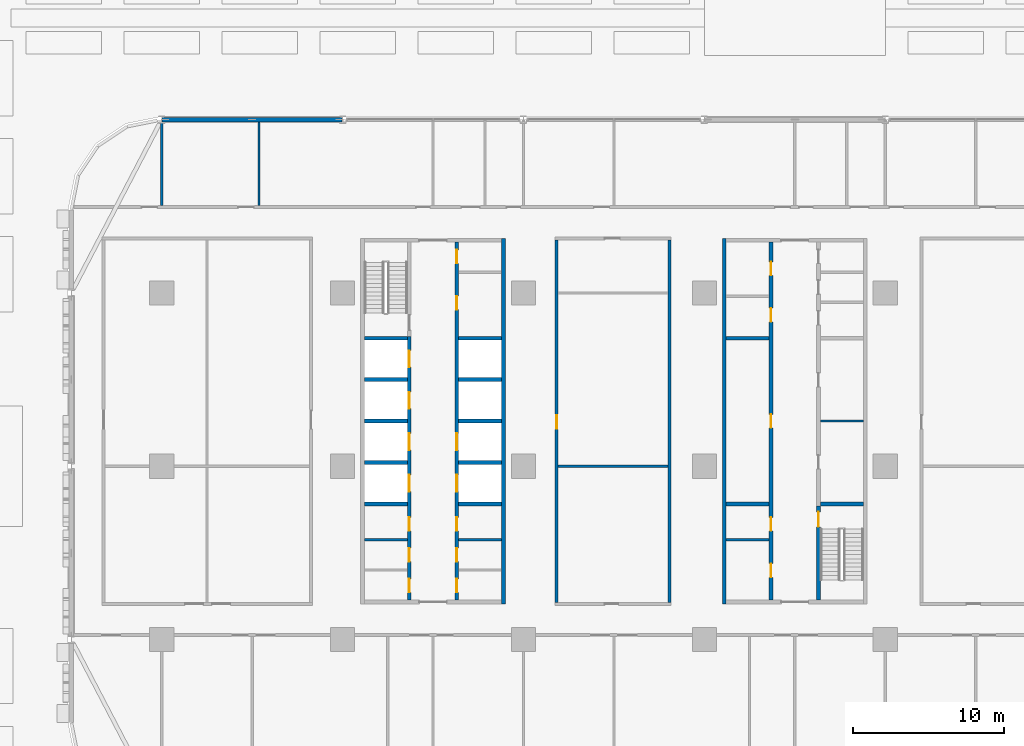
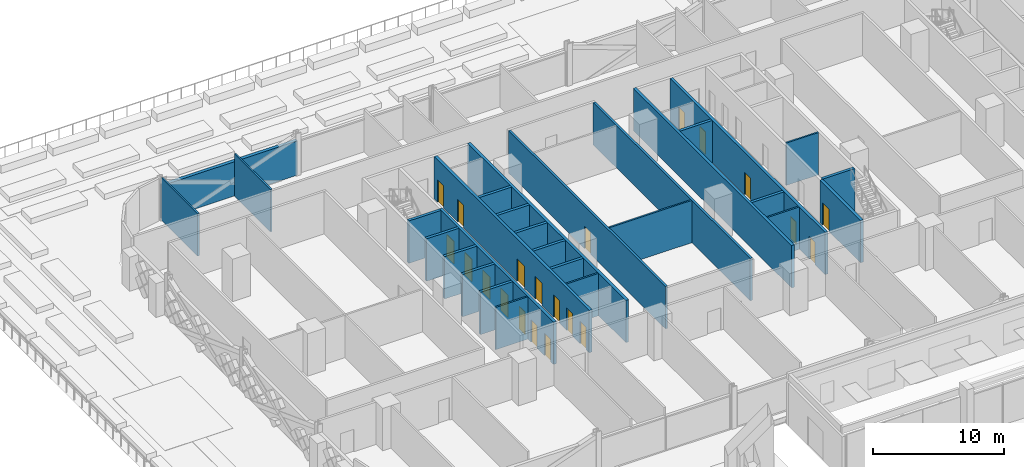
# One storey, part 13 of 39: 29 walls, 21 doors, 21 openings.
"""IFC4 building model written with IfcOpenShell, lengths in metres."""

from ifc_helpers import new_model, si_unit, direction, frame, frame_2d, origin, place, context, subcontext, project, spatial, rectangle, extrude, material, layer, layer_set, type_object, element, fill, save


model = new_model("IFC4")

# Units and contexts
model_context = context("Model", 3, precision=1e-05, world=origin(), true_north=direction((0.0, 1.0)))
body_context = subcontext(model_context, "Body", "Model", "MODEL_VIEW")
ifc_project = project(units=[si_unit("LENGTHUNIT", "METRE"), si_unit("AREAUNIT", "SQUARE_METRE"), si_unit("VOLUMEUNIT", "CUBIC_METRE"), si_unit("PLANEANGLEUNIT", "RADIAN"), si_unit("MASSUNIT", "GRAM", prefix="KILO")], contexts=[model_context])

# Site, building, storey
site_placement = place(None, origin())
site = spatial("IfcSite", under=ifc_project, at=site_placement, CompositionType="ELEMENT")
building_placement = place(site_placement, origin())
building = spatial("IfcBuilding", under=site, at=building_placement, Name="Mahtab Terrace Research Tower", CompositionType="ELEMENT")
storey_placement = place(building_placement, frame((0.0, 0.0, 7.199951171875)))
storey = spatial("IfcBuildingStorey", under=building, at=storey_placement, Name="L01", CompositionType="ELEMENT", Elevation=7.199951171875)

# Walls
ifc_material_1 = material(Name="Gypsum board partition")
ifc_layer_1 = layer(ifc_material_1, 0.14990234375)
ifc_layer_set_1 = layer_set([ifc_layer_1], Name="Core partition 150")
wall_type_1 = type_object("IfcWallType", Name="Core partition 150", PredefinedType="PARTITIONING", material=ifc_layer_set_1)
for number, where, z_axis, x_axis, name in (
    (1, (-28.550048828125, -4.875, 0.0), (0.0, 0.0, 1.0), (1.0, 0.0, 0.0), "Core wall A pWS-788"),
    (2, (-22.300048828125, -4.875, 0.0), (0.0, 0.0, 1.0), (1.0, 0.0, 0.0), "Core wall A pES-788"),
    (3, (1.699951171875, 3.0, 0.0), (0.0, 0.0, 1.0), (1.0, 0.0, 0.0), "Core wall B pEL0"),
    (4, (-4.550048828125, -4.875, 0.0), (0.0, 0.0, 1.0), (1.0, 0.0, 0.0), "Core wall B pWS-788"),
):
    element("IfcWall", number, at=place(storey_placement, frame(where, z_axis=z_axis, x_axis=x_axis)), inside=storey, type_object=wall_type_1, Name=name, PredefinedType="PARTITIONING", context=body_context, shape_type="SweptSolid", body=[
        extrude(rectangle(XDim=2.85009765625, YDim=0.14990234375, at=frame_2d((1.425048828125, 0.0))), origin(), (0.0, 0.0, 1.0), 3.9599609375),
    ])
ifc_material_2 = material(Name="Concrete C70/85", Category="concrete")
ifc_layer_2 = layer(ifc_material_2, 0.25)
ifc_layer_set_2 = layer_set([ifc_layer_2], Name="Core wall 250")
wall_type_2 = type_object("IfcWallType", Name="Core wall 250", PredefinedType="SOLIDWALL", material=ifc_layer_set_2)
wall_1_placement = place(storey_placement, frame((-19.324951171875, -9.125, 0.0), z_axis=(0.0, 0.0, 1.0), x_axis=(0.0, 1.0, 0.0)))
element("IfcWall", 5, at=wall_1_placement, inside=storey, type_object=wall_type_2, Name="Core wall A outerE", PredefinedType="SOLIDWALL", context=body_context, shape_type="SweptSolid", body=[
    extrude(rectangle(XDim=24.25, YDim=0.25, at=frame_2d((12.125, 0.0))), origin(), (0.0, 0.0, 1.0), 3.9599609375),
])

# Wall, openings, doors
wall_2_placement = place(storey_placement, frame((-25.574951171875, -8.875, 0.0), z_axis=(0.0, 0.0, 1.0), x_axis=(0.0, 1.0, 0.0)))
wall_2 = element("IfcWall", 6, at=wall_2_placement, inside=storey, type_object=wall_type_2, Name="Core wall A innerWSL", PredefinedType="SOLIDWALL", context=body_context, shape_type="SweptSolid", body=[
    extrude(rectangle(XDim=17.5, YDim=0.25, at=frame_2d((8.75, 0.0))), origin(), (0.0, 0.0, 1.0), 3.9599609375),
])
opening_1_placement = place(wall_2_placement, frame((7.199951171875, 0.0, 0.0)))
opening_1 = element("IfcOpeningElement", 7, at=opening_1_placement, cuts=wall_2, Name="Opening LD01-L01", PredefinedType="OPENING", context=body_context, shape_type="SweptSolid", body=[
    extrude(rectangle(XDim=1.10009765625, YDim=2.10009765625, at=frame_2d((0.550048828125, 1.050048828125))), frame((0.0, 0.135009765625, 0.0), z_axis=(0.0, -1.0, 0.0), x_axis=(1.0, 0.0, 0.0)), (0.0, 0.0, 1.0), 0.27001953125),
])
opening_2_placement = place(wall_2_placement, frame((9.949951171875, 0.0, 0.0)))
opening_2 = element("IfcOpeningElement", 8, at=opening_2_placement, cuts=wall_2, Name="Opening LD02-L01", PredefinedType="OPENING", context=body_context, shape_type="SweptSolid", body=[
    extrude(rectangle(XDim=1.10009765625, YDim=2.10009765625, at=frame_2d((0.550048828125, 1.050048828125))), frame((0.0, 0.135009765625, 0.0), z_axis=(0.0, -1.0, 0.0), x_axis=(1.0, 0.0, 0.0)), (0.0, 0.0, 1.0), 0.27001953125),
])
opening_3_placement = place(wall_2_placement, frame((12.699951171875, 0.0, 0.0)))
opening_3 = element("IfcOpeningElement", 9, at=opening_3_placement, cuts=wall_2, Name="Opening LD03-L01", PredefinedType="OPENING", context=body_context, shape_type="SweptSolid", body=[
    extrude(rectangle(XDim=1.10009765625, YDim=2.10009765625, at=frame_2d((0.550048828125, 1.050048828125))), frame((0.0, 0.135009765625, 0.0), z_axis=(0.0, -1.0, 0.0), x_axis=(1.0, 0.0, 0.0)), (0.0, 0.0, 1.0), 0.27001953125),
])
opening_4_placement = place(wall_2_placement, frame((15.449951171875, 0.0, 0.0)))
opening_4 = element("IfcOpeningElement", 10, at=opening_4_placement, cuts=wall_2, Name="Opening LD04-L01", PredefinedType="OPENING", context=body_context, shape_type="SweptSolid", body=[
    extrude(rectangle(XDim=1.10009765625, YDim=2.10009765625, at=frame_2d((0.550048828125, 1.050048828125))), frame((0.0, 0.135009765625, 0.0), z_axis=(0.0, -1.0, 0.0), x_axis=(1.0, 0.0, 0.0)), (0.0, 0.0, 1.0), 0.27001953125),
])
opening_5_placement = place(wall_2_placement, frame((0.512451171875, 0.0, 0.0)))
opening_5 = element("IfcOpeningElement", 11, at=opening_5_placement, cuts=wall_2, Name="Opening A-R1", PredefinedType="OPENING", context=body_context, shape_type="SweptSolid", body=[
    extrude(rectangle(XDim=0.89990234375, YDim=2.10009765625, at=frame_2d((0.449951171875, 1.050048828125))), frame((0.0, 0.135009765625, 0.0), z_axis=(0.0, -1.0, 0.0), x_axis=(1.0, 0.0, 0.0)), (0.0, 0.0, 1.0), 0.27001953125),
])
opening_6_placement = place(wall_2_placement, frame((2.550048828125, 0.0, 0.0)))
opening_6 = element("IfcOpeningElement", 12, at=opening_6_placement, cuts=wall_2, Name="Opening A-R2", PredefinedType="OPENING", context=body_context, shape_type="SweptSolid", body=[
    extrude(rectangle(XDim=0.89990234375, YDim=2.10009765625, at=frame_2d((0.449951171875, 1.050048828125))), frame((0.0, 0.135009765625, 0.0), z_axis=(0.0, -1.0, 0.0), x_axis=(1.0, 0.0, 0.0)), (0.0, 0.0, 1.0), 0.27001953125),
])
opening_7_placement = place(wall_2_placement, frame((4.58740234375, 0.0, 0.0)))
opening_7 = element("IfcOpeningElement", 13, at=opening_7_placement, cuts=wall_2, Name="Opening A-R3", PredefinedType="OPENING", context=body_context, shape_type="SweptSolid", body=[
    extrude(rectangle(XDim=0.89990234375, YDim=2.10009765625, at=frame_2d((0.449951171875, 1.050048828125))), frame((0.0, 0.135009765625, 0.0), z_axis=(0.0, -1.0, 0.0), x_axis=(1.0, 0.0, 0.0)), (0.0, 0.0, 1.0), 0.27001953125),
])
ifc_material_3 = material(Name="Stainless steel AISI 304", Category="steel")
door_type_1 = type_object("IfcDoorType", Name="Landing door 1100x2100", OperationType="DOUBLE_DOOR_SLIDING", PredefinedType="DOOR", material=ifc_material_3)
door_1_placement = place(opening_1_placement, origin())
door_1 = element("IfcDoor", 14, at=door_1_placement, inside=storey, type_object=door_type_1, Name="Landing door LR1 L01", OperationType="DOUBLE_DOOR_SLIDING", OverallHeight=2.10009765625, OverallWidth=1.10009765625, PredefinedType="DOOR", context=body_context, shape_type="SweptSolid", body=[
    extrude(rectangle(XDim=1.10009765625, YDim=2.10009765625, at=frame_2d((0.550048828125, 1.050048828125))), frame((0.0, 0.02490234375, 0.0), z_axis=(0.0, -1.0, 0.0), x_axis=(1.0, 0.0, 0.0)), (0.0, 0.0, 1.0), 0.050048828125),
])
fill(opening_1, door_1)
door_2_placement = place(opening_2_placement, origin())
door_2 = element("IfcDoor", 15, at=door_2_placement, inside=storey, type_object=door_type_1, Name="Landing door LR2 L01", OperationType="DOUBLE_DOOR_SLIDING", OverallHeight=2.10009765625, OverallWidth=1.10009765625, PredefinedType="DOOR", context=body_context, shape_type="SweptSolid", body=[
    extrude(rectangle(XDim=1.10009765625, YDim=2.10009765625, at=frame_2d((0.550048828125, 1.050048828125))), frame((0.0, 0.02490234375, 0.0), z_axis=(0.0, -1.0, 0.0), x_axis=(1.0, 0.0, 0.0)), (0.0, 0.0, 1.0), 0.050048828125),
])
fill(opening_2, door_2)
door_3_placement = place(opening_3_placement, origin())
door_3 = element("IfcDoor", 16, at=door_3_placement, inside=storey, type_object=door_type_1, Name="Landing door LR3 L01", OperationType="DOUBLE_DOOR_SLIDING", OverallHeight=2.10009765625, OverallWidth=1.10009765625, PredefinedType="DOOR", context=body_context, shape_type="SweptSolid", body=[
    extrude(rectangle(XDim=1.10009765625, YDim=2.10009765625, at=frame_2d((0.550048828125, 1.050048828125))), frame((0.0, 0.02490234375, 0.0), z_axis=(0.0, -1.0, 0.0), x_axis=(1.0, 0.0, 0.0)), (0.0, 0.0, 1.0), 0.050048828125),
])
fill(opening_3, door_3)
door_4_placement = place(opening_4_placement, origin())
door_4 = element("IfcDoor", 17, at=door_4_placement, inside=storey, type_object=door_type_1, Name="Landing door LR4 L01", OperationType="DOUBLE_DOOR_SLIDING", OverallHeight=2.10009765625, OverallWidth=1.10009765625, PredefinedType="DOOR", context=body_context, shape_type="SweptSolid", body=[
    extrude(rectangle(XDim=1.10009765625, YDim=2.10009765625, at=frame_2d((0.550048828125, 1.050048828125))), frame((0.0, 0.02490234375, 0.0), z_axis=(0.0, -1.0, 0.0), x_axis=(1.0, 0.0, 0.0)), (0.0, 0.0, 1.0), 0.050048828125),
])
fill(opening_4, door_4)
ifc_material_4 = material(Name="Steel fire door", Category="steel")
door_type_2 = type_object("IfcDoorType", Name="Room door 900x2100 1 HR", OperationType="NOTDEFINED", PredefinedType="DOOR", material=ifc_material_4)
door_5_placement = place(opening_5_placement, origin())
door_5 = element("IfcDoor", 18, at=door_5_placement, inside=storey, type_object=door_type_2, Name="Male WC door", OperationType="SINGLE_SWING_LEFT", OverallHeight=2.10009765625, OverallWidth=0.89990234375, PredefinedType="DOOR", context=body_context, shape_type="SweptSolid", body=[
    extrude(rectangle(XDim=0.89990234375, YDim=2.10009765625, at=frame_2d((0.449951171875, 1.050048828125))), frame((0.0, 0.02490234375, 0.0), z_axis=(0.0, -1.0, 0.0), x_axis=(1.0, 0.0, 0.0)), (0.0, 0.0, 1.0), 0.050048828125),
])
fill(opening_5, door_5)
door_6_placement = place(opening_6_placement, origin())
door_6 = element("IfcDoor", 19, at=door_6_placement, inside=storey, type_object=door_type_2, Name="Female WC door", OperationType="SINGLE_SWING_RIGHT", OverallHeight=2.10009765625, OverallWidth=0.89990234375, PredefinedType="DOOR", context=body_context, shape_type="SweptSolid", body=[
    extrude(rectangle(XDim=0.89990234375, YDim=2.10009765625, at=frame_2d((0.449951171875, 1.050048828125))), frame((0.0, 0.02490234375, 0.0), z_axis=(0.0, -1.0, 0.0), x_axis=(1.0, 0.0, 0.0)), (0.0, 0.0, 1.0), 0.050048828125),
])
fill(opening_6, door_6)
door_7_placement = place(opening_7_placement, origin())
door_7 = element("IfcDoor", 20, at=door_7_placement, inside=storey, type_object=door_type_2, Name="Accessible WC door", OperationType="SINGLE_SWING_LEFT", OverallHeight=2.10009765625, OverallWidth=0.89990234375, PredefinedType="DOOR", context=body_context, shape_type="SweptSolid", body=[
    extrude(rectangle(XDim=0.89990234375, YDim=2.10009765625, at=frame_2d((0.449951171875, 1.050048828125))), frame((0.0, 0.02490234375, 0.0), z_axis=(0.0, -1.0, 0.0), x_axis=(1.0, 0.0, 0.0)), (0.0, 0.0, 1.0), 0.050048828125),
])
fill(opening_7, door_7)

wall_3_placement = place(storey_placement, frame((-22.425048828125, 14.875, 0.0), z_axis=(0.0, 0.0, 1.0), x_axis=(0.0, -1.0, 0.0)))
wall_3 = element("IfcWall", 21, at=wall_3_placement, inside=storey, type_object=wall_type_2, Name="Core wall A innerESLN", PredefinedType="SOLIDWALL", context=body_context, shape_type="SweptSolid", body=[
    extrude(rectangle(XDim=23.75, YDim=0.25, at=frame_2d((11.875, 0.0))), origin(), (0.0, 0.0, 1.0), 3.9599609375),
])
opening_8_placement = place(wall_3_placement, frame((15.449951171875, 0.0, 0.0)))
opening_8 = element("IfcOpeningElement", 22, at=opening_8_placement, cuts=wall_3, Name="Opening LD05-L01", PredefinedType="OPENING", context=body_context, shape_type="SweptSolid", body=[
    extrude(rectangle(XDim=1.10009765625, YDim=2.10009765625, at=frame_2d((0.550048828125, 1.050048828125))), frame((0.0, 0.135009765625, 0.0), z_axis=(0.0, -1.0, 0.0), x_axis=(1.0, 0.0, 0.0)), (0.0, 0.0, 1.0), 0.27001953125),
])
opening_9_placement = place(wall_3_placement, frame((12.699951171875, 0.0, 0.0)))
opening_9 = element("IfcOpeningElement", 23, at=opening_9_placement, cuts=wall_3, Name="Opening LD06-L01", PredefinedType="OPENING", context=body_context, shape_type="SweptSolid", body=[
    extrude(rectangle(XDim=1.10009765625, YDim=2.10009765625, at=frame_2d((0.550048828125, 1.050048828125))), frame((0.0, 0.135009765625, 0.0), z_axis=(0.0, -1.0, 0.0), x_axis=(1.0, 0.0, 0.0)), (0.0, 0.0, 1.0), 0.27001953125),
])
opening_10_placement = place(wall_3_placement, frame((22.33740234375, 0.0, 0.0)))
opening_10 = element("IfcOpeningElement", 24, at=opening_10_placement, cuts=wall_3, Name="Opening A-R4", PredefinedType="OPENING", context=body_context, shape_type="SweptSolid", body=[
    extrude(rectangle(XDim=0.89990234375, YDim=2.10009765625, at=frame_2d((0.449951171875, 1.050048828125))), frame((0.0, 0.135009765625, 0.0), z_axis=(0.0, -1.0, 0.0), x_axis=(1.0, 0.0, 0.0)), (0.0, 0.0, 1.0), 0.27001953125),
])
opening_11_placement = place(wall_3_placement, frame((20.300048828125, 0.0, 0.0)))
opening_11 = element("IfcOpeningElement", 25, at=opening_11_placement, cuts=wall_3, Name="Opening A-R5", PredefinedType="OPENING", context=body_context, shape_type="SweptSolid", body=[
    extrude(rectangle(XDim=0.89990234375, YDim=2.10009765625, at=frame_2d((0.449951171875, 1.050048828125))), frame((0.0, 0.135009765625, 0.0), z_axis=(0.0, -1.0, 0.0), x_axis=(1.0, 0.0, 0.0)), (0.0, 0.0, 1.0), 0.27001953125),
])
opening_12_placement = place(wall_3_placement, frame((18.262451171875, 0.0, 0.0)))
opening_12 = element("IfcOpeningElement", 26, at=opening_12_placement, cuts=wall_3, Name="Opening A-R6", PredefinedType="OPENING", context=body_context, shape_type="SweptSolid", body=[
    extrude(rectangle(XDim=0.89990234375, YDim=2.10009765625, at=frame_2d((0.449951171875, 1.050048828125))), frame((0.0, 0.135009765625, 0.0), z_axis=(0.0, -1.0, 0.0), x_axis=(1.0, 0.0, 0.0)), (0.0, 0.0, 1.0), 0.27001953125),
])
opening_13_placement = place(wall_3_placement, frame((3.58740234375, 0.0, 0.0)))
opening_13 = element("IfcOpeningElement", 27, at=opening_13_placement, cuts=wall_3, Name="Opening A-R7", PredefinedType="OPENING", context=body_context, shape_type="SweptSolid", body=[
    extrude(rectangle(XDim=0.89990234375, YDim=2.10009765625, at=frame_2d((0.449951171875, 1.050048828125))), frame((0.0, 0.135009765625, 0.0), z_axis=(0.0, -1.0, 0.0), x_axis=(1.0, 0.0, 0.0)), (0.0, 0.0, 1.0), 0.27001953125),
])
opening_14_placement = place(wall_3_placement, frame((0.512451171875, 0.0, 0.0)))
opening_14 = element("IfcOpeningElement", 28, at=opening_14_placement, cuts=wall_3, Name="Opening A-R8", PredefinedType="OPENING", context=body_context, shape_type="SweptSolid", body=[
    extrude(rectangle(XDim=0.89990234375, YDim=2.10009765625, at=frame_2d((0.449951171875, 1.050048828125))), frame((0.0, 0.135009765625, 0.0), z_axis=(0.0, -1.0, 0.0), x_axis=(1.0, 0.0, 0.0)), (0.0, 0.0, 1.0), 0.27001953125),
])
door_8_placement = place(opening_8_placement, origin())
door_8 = element("IfcDoor", 29, at=door_8_placement, inside=storey, type_object=door_type_1, Name="Landing door LR5 L01", OperationType="DOUBLE_DOOR_SLIDING", OverallHeight=2.10009765625, OverallWidth=1.10009765625, PredefinedType="DOOR", context=body_context, shape_type="SweptSolid", body=[
    extrude(rectangle(XDim=1.10009765625, YDim=2.10009765625, at=frame_2d((0.550048828125, 1.050048828125))), frame((0.0, 0.02490234375, 0.0), z_axis=(0.0, -1.0, 0.0), x_axis=(1.0, 0.0, 0.0)), (0.0, 0.0, 1.0), 0.050048828125),
])
fill(opening_8, door_8)
door_9_placement = place(opening_9_placement, origin())
door_9 = element("IfcDoor", 30, at=door_9_placement, inside=storey, type_object=door_type_1, Name="Landing door LR6 L01", OperationType="DOUBLE_DOOR_SLIDING", OverallHeight=2.10009765625, OverallWidth=1.10009765625, PredefinedType="DOOR", context=body_context, shape_type="SweptSolid", body=[
    extrude(rectangle(XDim=1.10009765625, YDim=2.10009765625, at=frame_2d((0.550048828125, 1.050048828125))), frame((0.0, 0.02490234375, 0.0), z_axis=(0.0, -1.0, 0.0), x_axis=(1.0, 0.0, 0.0)), (0.0, 0.0, 1.0), 0.050048828125),
])
fill(opening_9, door_9)
door_10_placement = place(opening_10_placement, origin())
door_10 = element("IfcDoor", 31, at=door_10_placement, inside=storey, type_object=door_type_2, Name="Comms riser room door", OperationType="SINGLE_SWING_RIGHT", OverallHeight=2.10009765625, OverallWidth=0.89990234375, PredefinedType="DOOR", context=body_context, shape_type="SweptSolid", body=[
    extrude(rectangle(XDim=0.89990234375, YDim=2.10009765625, at=frame_2d((0.449951171875, 1.050048828125))), frame((0.0, 0.02490234375, 0.0), z_axis=(0.0, -1.0, 0.0), x_axis=(1.0, 0.0, 0.0)), (0.0, 0.0, 1.0), 0.050048828125),
])
fill(opening_10, door_10)
door_11_placement = place(opening_11_placement, origin())
door_11 = element("IfcDoor", 32, at=door_11_placement, inside=storey, type_object=door_type_2, Name="Pantry door", OperationType="SINGLE_SWING_LEFT", OverallHeight=2.10009765625, OverallWidth=0.89990234375, PredefinedType="DOOR", context=body_context, shape_type="SweptSolid", body=[
    extrude(rectangle(XDim=0.89990234375, YDim=2.10009765625, at=frame_2d((0.449951171875, 1.050048828125))), frame((0.0, 0.02490234375, 0.0), z_axis=(0.0, -1.0, 0.0), x_axis=(1.0, 0.0, 0.0)), (0.0, 0.0, 1.0), 0.050048828125),
])
fill(opening_11, door_11)
door_12_placement = place(opening_12_placement, origin())
door_12 = element("IfcDoor", 33, at=door_12_placement, inside=storey, type_object=door_type_2, Name="Cleaners store door", OperationType="SINGLE_SWING_RIGHT", OverallHeight=2.10009765625, OverallWidth=0.89990234375, PredefinedType="DOOR", context=body_context, shape_type="SweptSolid", body=[
    extrude(rectangle(XDim=0.89990234375, YDim=2.10009765625, at=frame_2d((0.449951171875, 1.050048828125))), frame((0.0, 0.02490234375, 0.0), z_axis=(0.0, -1.0, 0.0), x_axis=(1.0, 0.0, 0.0)), (0.0, 0.0, 1.0), 0.050048828125),
])
fill(opening_12, door_12)
door_13_placement = place(opening_13_placement, origin())
door_13 = element("IfcDoor", 34, at=door_13_placement, inside=storey, type_object=door_type_2, Name="IT equipment room door", OperationType="SINGLE_SWING_LEFT", OverallHeight=2.10009765625, OverallWidth=0.89990234375, PredefinedType="DOOR", context=body_context, shape_type="SweptSolid", body=[
    extrude(rectangle(XDim=0.89990234375, YDim=2.10009765625, at=frame_2d((0.449951171875, 1.050048828125))), frame((0.0, 0.02490234375, 0.0), z_axis=(0.0, -1.0, 0.0), x_axis=(1.0, 0.0, 0.0)), (0.0, 0.0, 1.0), 0.050048828125),
])
fill(opening_13, door_13)
door_14_placement = place(opening_14_placement, origin())
door_14 = element("IfcDoor", 35, at=door_14_placement, inside=storey, type_object=door_type_2, Name="Electrical riser room door", OperationType="SINGLE_SWING_RIGHT", OverallHeight=2.10009765625, OverallWidth=0.89990234375, PredefinedType="DOOR", context=body_context, shape_type="SweptSolid", body=[
    extrude(rectangle(XDim=0.89990234375, YDim=2.10009765625, at=frame_2d((0.449951171875, 1.050048828125))), frame((0.0, 0.02490234375, 0.0), z_axis=(0.0, -1.0, 0.0), x_axis=(1.0, 0.0, 0.0)), (0.0, 0.0, 1.0), 0.050048828125),
])
fill(opening_14, door_14)

# Walls
for number, where, z_axis, x_axis, name in (
    (36, (-28.550048828125, -2.5, 0.0), (0.0, 0.0, 1.0), (1.0, 0.0, 0.0), "Core wall A divW0"),
    (37, (-28.550048828125, 0.25, 0.0), (0.0, 0.0, 1.0), (1.0, 0.0, 0.0), "Core wall A divW1"),
    (38, (-28.550048828125, 3.0, 0.0), (0.0, 0.0, 1.0), (1.0, 0.0, 0.0), "Core wall A divW2"),
    (39, (-28.550048828125, 5.75, 0.0), (0.0, 0.0, 1.0), (1.0, 0.0, 0.0), "Core wall A divW3"),
    (40, (-28.550048828125, 8.5, 0.0), (0.0, 0.0, 1.0), (1.0, 0.0, 0.0), "Core wall A divW4"),
    (41, (-22.300048828125, -2.5, 0.0), (0.0, 0.0, 1.0), (1.0, 0.0, 0.0), "Core wall A divE0"),
    (42, (-22.300048828125, 0.25, 0.0), (0.0, 0.0, 1.0), (1.0, 0.0, 0.0), "Core wall A divE1"),
    (43, (-22.300048828125, 3.0, 0.0), (0.0, 0.0, 1.0), (1.0, 0.0, 0.0), "Core wall A divE2"),
    (44, (-22.300048828125, 5.75, 0.0), (0.0, 0.0, 1.0), (1.0, 0.0, 0.0), "Core wall A divE3"),
    (45, (-22.300048828125, 8.5, 0.0), (0.0, 0.0, 1.0), (1.0, 0.0, 0.0), "Core wall A divE4"),
):
    element("IfcWall", number, at=place(storey_placement, frame(where, z_axis=z_axis, x_axis=x_axis)), inside=storey, type_object=wall_type_2, Name=name, PredefinedType="SOLIDWALL", context=body_context, shape_type="SweptSolid", body=[
        extrude(rectangle(XDim=2.85009765625, YDim=0.25, at=frame_2d((1.425048828125, 0.0))), origin(), (0.0, 0.0, 1.0), 3.9599609375),
    ])
wall_4_placement = place(storey_placement, frame((-4.675048828125, 15.125, 0.0), z_axis=(0.0, 0.0, 1.0), x_axis=(0.0, -1.0, 0.0)))
element("IfcWall", 46, at=wall_4_placement, inside=storey, type_object=wall_type_2, Name="Core wall B outerW", PredefinedType="SOLIDWALL", context=body_context, shape_type="SweptSolid", body=[
    extrude(rectangle(XDim=24.25, YDim=0.25, at=frame_2d((12.125, 0.0))), origin(), (0.0, 0.0, 1.0), 3.9599609375),
])

# Wall, openings, doors
wall_5_placement = place(storey_placement, frame((-1.574951171875, -8.875, 0.0), z_axis=(0.0, 0.0, 1.0), x_axis=(0.0, 1.0, 0.0)))
wall_5 = element("IfcWall", 47, at=wall_5_placement, inside=storey, type_object=wall_type_2, Name="Core wall B innerWSLN", PredefinedType="SOLIDWALL", context=body_context, shape_type="SweptSolid", body=[
    extrude(rectangle(XDim=23.75, YDim=0.25, at=frame_2d((11.875, 0.0))), origin(), (0.0, 0.0, 1.0), 3.9599609375),
])
opening_15_placement = place(wall_5_placement, frame((11.425048828125, 0.0, 0.0)))
opening_15 = element("IfcOpeningElement", 48, at=opening_15_placement, cuts=wall_5, Name="Opening B-R1", PredefinedType="OPENING", context=body_context, shape_type="SweptSolid", body=[
    extrude(rectangle(XDim=0.89990234375, YDim=2.10009765625, at=frame_2d((0.449951171875, 1.050048828125))), frame((0.0, 0.135009765625, 0.0), z_axis=(0.0, -1.0, 0.0), x_axis=(1.0, 0.0, 0.0)), (0.0, 0.0, 1.0), 0.27001953125),
])
opening_16_placement = place(wall_5_placement, frame((1.512451171875, 0.0, 0.0)))
opening_16 = element("IfcOpeningElement", 49, at=opening_16_placement, cuts=wall_5, Name="Opening B-R4", PredefinedType="OPENING", context=body_context, shape_type="SweptSolid", body=[
    extrude(rectangle(XDim=0.89990234375, YDim=2.10009765625, at=frame_2d((0.449951171875, 1.050048828125))), frame((0.0, 0.135009765625, 0.0), z_axis=(0.0, -1.0, 0.0), x_axis=(1.0, 0.0, 0.0)), (0.0, 0.0, 1.0), 0.27001953125),
])
opening_17_placement = place(wall_5_placement, frame((4.58740234375, 0.0, 0.0)))
opening_17 = element("IfcOpeningElement", 50, at=opening_17_placement, cuts=wall_5, Name="Opening B-R5", PredefinedType="OPENING", context=body_context, shape_type="SweptSolid", body=[
    extrude(rectangle(XDim=0.89990234375, YDim=2.10009765625, at=frame_2d((0.449951171875, 1.050048828125))), frame((0.0, 0.135009765625, 0.0), z_axis=(0.0, -1.0, 0.0), x_axis=(1.0, 0.0, 0.0)), (0.0, 0.0, 1.0), 0.27001953125),
])
opening_18_placement = place(wall_5_placement, frame((18.46240234375, 0.0, 0.0)))
opening_18 = element("IfcOpeningElement", 51, at=opening_18_placement, cuts=wall_5, Name="Opening B-R6", PredefinedType="OPENING", context=body_context, shape_type="SweptSolid", body=[
    extrude(rectangle(XDim=0.89990234375, YDim=2.10009765625, at=frame_2d((0.449951171875, 1.050048828125))), frame((0.0, 0.135009765625, 0.0), z_axis=(0.0, -1.0, 0.0), x_axis=(1.0, 0.0, 0.0)), (0.0, 0.0, 1.0), 0.27001953125),
])
opening_19_placement = place(wall_5_placement, frame((21.53759765625, 0.0, 0.0)))
opening_19 = element("IfcOpeningElement", 52, at=opening_19_placement, cuts=wall_5, Name="Opening B-R7", PredefinedType="OPENING", context=body_context, shape_type="SweptSolid", body=[
    extrude(rectangle(XDim=0.89990234375, YDim=2.10009765625, at=frame_2d((0.449951171875, 1.050048828125))), frame((0.0, 0.135009765625, 0.0), z_axis=(0.0, -1.0, 0.0), x_axis=(1.0, 0.0, 0.0)), (0.0, 0.0, 1.0), 0.27001953125),
])
door_15_placement = place(opening_15_placement, origin())
door_15 = element("IfcDoor", 53, at=door_15_placement, inside=storey, type_object=door_type_2, Name="Plant room door", OperationType="SINGLE_SWING_LEFT", OverallHeight=2.10009765625, OverallWidth=0.89990234375, PredefinedType="DOOR", context=body_context, shape_type="SweptSolid", body=[
    extrude(rectangle(XDim=0.89990234375, YDim=2.10009765625, at=frame_2d((0.449951171875, 1.050048828125))), frame((0.0, 0.02490234375, 0.0), z_axis=(0.0, -1.0, 0.0), x_axis=(1.0, 0.0, 0.0)), (0.0, 0.0, 1.0), 0.050048828125),
])
fill(opening_15, door_15)
door_16_placement = place(opening_16_placement, origin())
door_16 = element("IfcDoor", 54, at=door_16_placement, inside=storey, type_object=door_type_2, Name="IT equipment room door", OperationType="SINGLE_SWING_RIGHT", OverallHeight=2.10009765625, OverallWidth=0.89990234375, PredefinedType="DOOR", context=body_context, shape_type="SweptSolid", body=[
    extrude(rectangle(XDim=0.89990234375, YDim=2.10009765625, at=frame_2d((0.449951171875, 1.050048828125))), frame((0.0, 0.02490234375, 0.0), z_axis=(0.0, -1.0, 0.0), x_axis=(1.0, 0.0, 0.0)), (0.0, 0.0, 1.0), 0.050048828125),
])
fill(opening_16, door_16)
door_17_placement = place(opening_17_placement, origin())
door_17 = element("IfcDoor", 55, at=door_17_placement, inside=storey, type_object=door_type_2, Name="Electrical riser room door", OperationType="SINGLE_SWING_LEFT", OverallHeight=2.10009765625, OverallWidth=0.89990234375, PredefinedType="DOOR", context=body_context, shape_type="SweptSolid", body=[
    extrude(rectangle(XDim=0.89990234375, YDim=2.10009765625, at=frame_2d((0.449951171875, 1.050048828125))), frame((0.0, 0.02490234375, 0.0), z_axis=(0.0, -1.0, 0.0), x_axis=(1.0, 0.0, 0.0)), (0.0, 0.0, 1.0), 0.050048828125),
])
fill(opening_17, door_17)
door_18_placement = place(opening_18_placement, origin())
door_18 = element("IfcDoor", 56, at=door_18_placement, inside=storey, type_object=door_type_2, Name="Mechanical riser room door", OperationType="SINGLE_SWING_RIGHT", OverallHeight=2.10009765625, OverallWidth=0.89990234375, PredefinedType="DOOR", context=body_context, shape_type="SweptSolid", body=[
    extrude(rectangle(XDim=0.89990234375, YDim=2.10009765625, at=frame_2d((0.449951171875, 1.050048828125))), frame((0.0, 0.02490234375, 0.0), z_axis=(0.0, -1.0, 0.0), x_axis=(1.0, 0.0, 0.0)), (0.0, 0.0, 1.0), 0.050048828125),
])
fill(opening_18, door_18)
door_19_placement = place(opening_19_placement, origin())
door_19 = element("IfcDoor", 57, at=door_19_placement, inside=storey, type_object=door_type_2, Name="Chemical store door", OperationType="SINGLE_SWING_LEFT", OverallHeight=2.10009765625, OverallWidth=0.89990234375, PredefinedType="DOOR", context=body_context, shape_type="SweptSolid", body=[
    extrude(rectangle(XDim=0.89990234375, YDim=2.10009765625, at=frame_2d((0.449951171875, 1.050048828125))), frame((0.0, 0.02490234375, 0.0), z_axis=(0.0, -1.0, 0.0), x_axis=(1.0, 0.0, 0.0)), (0.0, 0.0, 1.0), 0.050048828125),
])
fill(opening_19, door_19)

# Wall, opening, door
wall_6_placement = place(storey_placement, frame((1.574951171875, -8.875, 0.0), z_axis=(0.0, 0.0, 1.0), x_axis=(0.0, 1.0, 0.0)))
wall_6 = element("IfcWall", 58, at=wall_6_placement, inside=storey, type_object=wall_type_2, Name="Core wall B innerES", PredefinedType="SOLIDWALL", context=body_context, shape_type="SweptSolid", body=[
    extrude(rectangle(XDim=6.25, YDim=0.25, at=frame_2d((3.125, 0.0))), origin(), (0.0, 0.0, 1.0), 3.9599609375),
])
opening_20_placement = place(wall_6_placement, frame((4.85009765625, 0.0, 0.0)))
opening_20 = element("IfcOpeningElement", 59, at=opening_20_placement, cuts=wall_6, Name="Opening B-ST2", PredefinedType="OPENING", context=body_context, shape_type="SweptSolid", body=[
    extrude(rectangle(XDim=1.0, YDim=2.10009765625, at=frame_2d((0.5, 1.050048828125))), frame((0.0, 0.135009765625, 0.0), z_axis=(0.0, -1.0, 0.0), x_axis=(1.0, 0.0, 0.0)), (0.0, 0.0, 1.0), 0.27001953125),
])
door_type_3 = type_object("IfcDoorType", Name="Stair door 1000x2100 1.5 HR", OperationType="NOTDEFINED", PredefinedType="DOOR", material=ifc_material_4)
door_20_placement = place(opening_20_placement, origin())
door_20 = element("IfcDoor", 60, at=door_20_placement, inside=storey, type_object=door_type_3, Name="Stair door ST2 L01", OperationType="SINGLE_SWING_LEFT", OverallHeight=2.10009765625, OverallWidth=1.0, PredefinedType="DOOR", context=body_context, shape_type="SweptSolid", body=[
    extrude(rectangle(XDim=1.0, YDim=2.10009765625, at=frame_2d((0.5, 1.050048828125))), frame((0.0, 0.02490234375, 0.0), z_axis=(0.0, -1.0, 0.0), x_axis=(1.0, 0.0, 0.0)), (0.0, 0.0, 1.0), 0.050048828125),
])
fill(opening_20, door_20)

# Walls
for number, where, z_axis, x_axis, name in (
    (61, (-4.550048828125, -2.5, 0.0), (0.0, 0.0, 1.0), (1.0, 0.0, 0.0), "Core wall B divW0"),
    (62, (-4.550048828125, 8.5, 0.0), (0.0, 0.0, 1.0), (1.0, 0.0, 0.0), "Core wall B divW4"),
    (63, (1.699951171875, -2.5, 0.0), (0.0, 0.0, 1.0), (1.0, 0.0, 0.0), "Core wall B divE0"),
):
    element("IfcWall", number, at=place(storey_placement, frame(where, z_axis=z_axis, x_axis=x_axis)), inside=storey, type_object=wall_type_2, Name=name, PredefinedType="SOLIDWALL", context=body_context, shape_type="SweptSolid", body=[
        extrude(rectangle(XDim=2.85009765625, YDim=0.25, at=frame_2d((1.425048828125, 0.0))), origin(), (0.0, 0.0, 1.0), 3.9599609375),
    ])
ifc_material_5 = material(Name="Black aluminium cladding panel", Category="aluminium")
ifc_layer_3 = layer(ifc_material_5, 0.300048828125)
ifc_layer_set_3 = layer_set([ifc_layer_3], Name="Opaque facade wall 300")
wall_type_3 = type_object("IfcWallType", Name="Opaque facade wall 300", PredefinedType="NOTDEFINED", material=ifc_layer_set_3)
wall_7_placement = place(storey_placement, frame((-30.02783203125, 23.0, 0.0), z_axis=(0.0, 0.0, 1.0), x_axis=(-1.0, 0.0, 0.0)))
element("IfcWall", 64, at=wall_7_placement, inside=storey, type_object=wall_type_3, Name="Opaque facade wall L01 N9", PredefinedType="NOTDEFINED", context=body_context, shape_type="SweptSolid", body=[
    extrude(rectangle(XDim=11.9443359375, YDim=0.300048828125, at=frame_2d((5.97216796875, 0.0))), origin(), (0.0, 0.0, 1.0), 3.203125),
])

# Wall, opening, door
ifc_material_6 = material(Name="Gypsum board corridor wall on steel studs", Category="steel")
ifc_layer_4 = layer(ifc_material_6, 0.199951171875)
ifc_layer_set_4 = layer_set([ifc_layer_4], Name="WALL CORRIDOR 200")
wall_type_4 = type_object("IfcWallType", Name="WALL CORRIDOR 200", PredefinedType="PARTITIONING", material=ifc_layer_set_4)
wall_8_placement = place(storey_placement, frame((-15.800048828125, -9.02490234375, 0.0), z_axis=(0.0, 0.0, 1.0), x_axis=(0.0, 1.0, 0.0)))
wall_8 = element("IfcWall", 65, at=wall_8_placement, inside=storey, type_object=wall_type_4, Name="L01-W041", PredefinedType="PARTITIONING", context=body_context, shape_type="SweptSolid", body=[
    extrude(rectangle(XDim=24.0498046875, YDim=0.199951171875, at=frame_2d((12.02490234375, 0.0))), origin(), (0.0, 0.0, 1.0), 3.9599609375),
])
opening_21_placement = place(wall_8_placement, frame((11.5, 0.0, 0.0)))
opening_21 = element("IfcOpeningElement", 66, at=opening_21_placement, cuts=wall_8, Name="Opening L01-122", PredefinedType="OPENING", context=body_context, shape_type="SweptSolid", body=[
    extrude(rectangle(XDim=0.89990234375, YDim=2.10009765625, at=frame_2d((0.449951171875, 1.050048828125))), frame((0.0, 0.10986328125, 0.0), z_axis=(0.0, -1.0, 0.0), x_axis=(1.0, 0.0, 0.0)), (0.0, 0.0, 1.0), 0.219970703125),
])
ifc_material_7 = material(Name="Timber door leaf in steel frame", Category="steel")
door_type_4 = type_object("IfcDoorType", Name="DOOR 0900X2100 FD30S", OperationType="SINGLE_SWING_LEFT", PredefinedType="DOOR", material=ifc_material_7)
door_21_placement = place(opening_21_placement, origin())
door_21 = element("IfcDoor", 67, at=door_21_placement, inside=storey, type_object=door_type_4, Name="Door L01-122", OperationType="SINGLE_SWING_RIGHT", OverallHeight=2.10009765625, OverallWidth=0.89990234375, PredefinedType="DOOR", context=body_context, shape_type="SweptSolid", body=[
    extrude(rectangle(XDim=0.89990234375, YDim=2.10009765625, at=frame_2d((0.449951171875, 1.050048828125))), frame((0.0, 0.02490234375, 0.0), z_axis=(0.0, -1.0, 0.0), x_axis=(1.0, 0.0, 0.0)), (0.0, 0.0, 1.0), 0.050048828125),
])
fill(opening_21, door_21)

# Walls
wall_9_placement = place(storey_placement, frame((-8.300048828125, -9.02490234375, 0.0), z_axis=(0.0, 0.0, 1.0), x_axis=(0.0, 1.0, 0.0)))
element("IfcWall", 68, at=wall_9_placement, inside=storey, type_object=wall_type_4, Name="L01-W044", PredefinedType="PARTITIONING", context=body_context, shape_type="SweptSolid", body=[
    extrude(rectangle(XDim=24.0498046875, YDim=0.199951171875, at=frame_2d((12.02490234375, 0.0))), origin(), (0.0, 0.0, 1.0), 3.9599609375),
])
ifc_material_8 = material(Name="Gypsum board partition on steel studs", Category="steel")
ifc_layer_5 = layer(ifc_material_8, 0.14990234375)
ifc_layer_set_5 = layer_set([ifc_layer_5], Name="WALL PARTITION 150")
wall_type_5 = type_object("IfcWallType", Name="WALL PARTITION 150", PredefinedType="PARTITIONING", material=ifc_layer_set_5)
wall_10_placement = place(storey_placement, frame((-15.699951171875, 0.0, 0.0), z_axis=(0.0, 0.0, 1.0), x_axis=(1.0, 0.0, 0.0)))
element("IfcWall", 69, at=wall_10_placement, inside=storey, type_object=wall_type_5, Name="L01-W016", PredefinedType="PARTITIONING", context=body_context, shape_type="SweptSolid", body=[
    extrude(rectangle(XDim=7.300048828125, YDim=0.14990234375, at=frame_2d((3.64990234375, 0.0))), origin(), (0.0, 0.0, 1.0), 3.9599609375),
])
wall_11_placement = place(storey_placement, frame((-42.0, 17.300048828125, 0.0), z_axis=(0.0, 0.0, 1.0), x_axis=(0.0, 1.0, 0.0)))
element("IfcWall", 70, at=wall_11_placement, inside=storey, type_object=wall_type_5, Name="L01-W030", PredefinedType="PARTITIONING", context=body_context, shape_type="SweptSolid", body=[
    extrude(rectangle(XDim=5.547119140625, YDim=0.14990234375, at=frame_2d((2.7734375, 0.0))), origin(), (0.0, 0.0, 1.0), 3.9599609375),
])
wall_12_placement = place(storey_placement, frame((-35.550048828125, 17.300048828125, 0.0), z_axis=(0.0, 0.0, 1.0), x_axis=(0.0, 1.0, 0.0)))
element("IfcWall", 71, at=wall_12_placement, inside=storey, type_object=wall_type_5, Name="L01-W033", PredefinedType="PARTITIONING", context=body_context, shape_type="SweptSolid", body=[
    extrude(rectangle(XDim=5.550048828125, YDim=0.14990234375, at=frame_2d((2.77490234375, 0.0))), origin(), (0.0, 0.0, 1.0), 3.9599609375),
])

save(model, "model.ifc")
